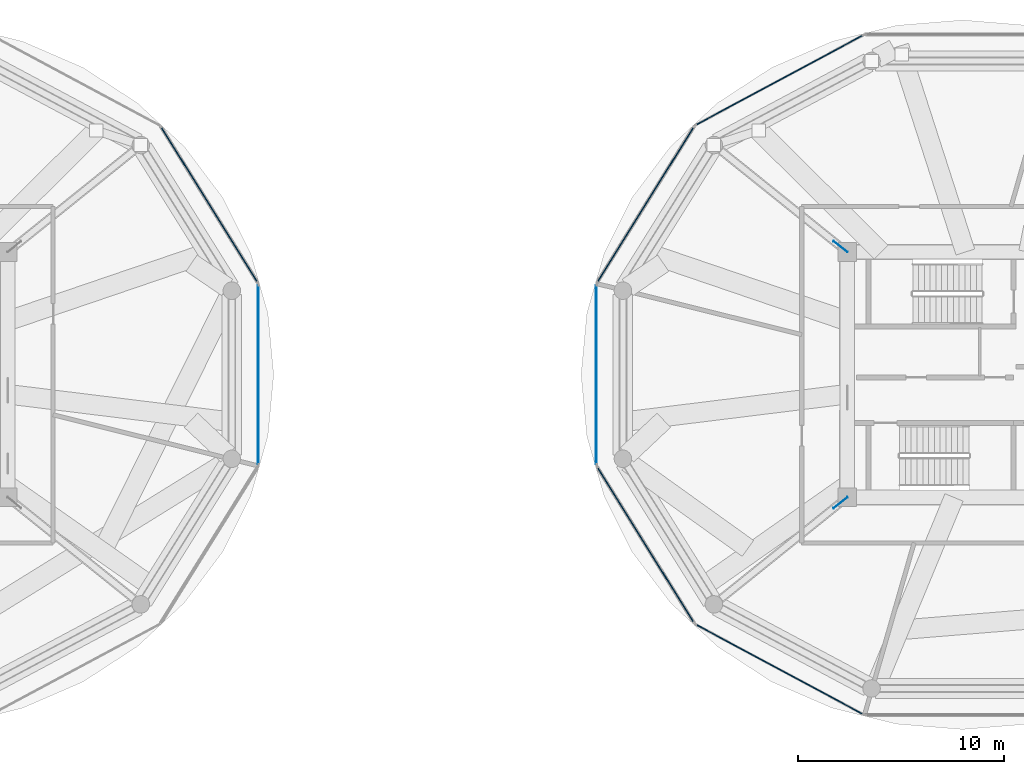
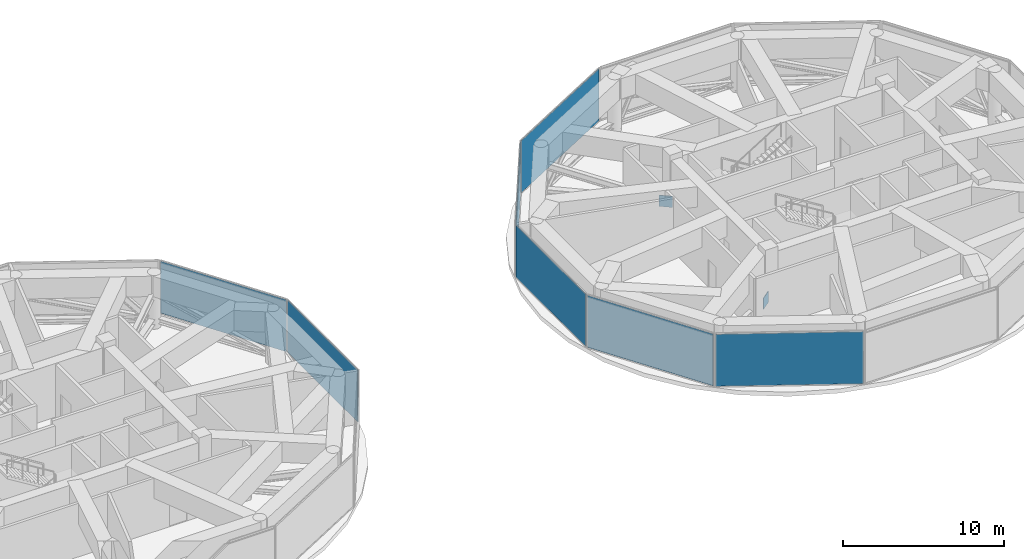
# One storey, part 13 of 23: 9 plates, 7 elements without a shape of their own.
"""IFC4 building model written with IfcOpenShell, lengths in metres."""

import ifcopenshell
import ifcopenshell.guid

model = None  # the IFC model being written
_history = None  # IfcOwnerHistory: only IFC2X3 demands one
_inside = {}  # id of a spatial element -> (the spatial element, [elements in it])
_under = {}  # id of a project, library or spatial element -> (it, [spatial elements below it])
_declared = {}  # id of a project -> (the project, [libraries it declares])
_typed = {}  # id of a type object -> (the type object, [elements of that type])
_made_of = {}  # id of a material, layer set ... -> (it, [elements and type objects made of it])


def new_model(schema):
    """Start an empty IFC model of exactly this schema.

    Asked for "IFC4X3", IfcOpenShell would pick the latest addendum, in which some entities
    have other attributes; the version numbers below select the first issue.
    IFC2X3 requires an IfcOwnerHistory on every rooted entity: one is made here for all.
    """
    global model, _history
    if schema == "IFC4X3":
        model = ifcopenshell.file(schema_version=(4, 3, 0, 0))
    else:
        model = ifcopenshell.file(schema=schema)
    _inside.clear()
    _under.clear()
    _declared.clear()
    _typed.clear()
    _made_of.clear()
    _history = None
    if model.schema == "IFC2X3":
        org = make("IfcOrganization", Name="unknown")
        user = make(
            "IfcPersonAndOrganization",
            ThePerson=make("IfcPerson", FamilyName="unknown"),
            TheOrganization=org,
        )
        app = make(
            "IfcApplication",
            ApplicationDeveloper=org,
            Version="unknown",
            ApplicationFullName="unknown",
            ApplicationIdentifier="unknown",
        )
        _history = make(
            "IfcOwnerHistory",
            OwningUser=user,
            OwningApplication=app,
            ChangeAction="ADDED",
            CreationDate=0,
        )
    return model


def make(cls, **values):
    """One entity of the class cls with the attributes given. An attribute that is None is left unset."""
    return model.create_entity(
        cls, **{name: value for name, value in values.items() if value is not None}
    )


def rooted(cls, **values):
    """An entity with a GlobalId (a new one), such as an element, a storey or a relation."""
    return make(cls, GlobalId=ifcopenshell.guid.new(), OwnerHistory=_history, **values)


def si_unit(unit_type, name, prefix=None):
    """IfcSIUnit, for example si_unit("LENGTHUNIT", "METRE", prefix="MILLI")."""
    return make("IfcSIUnit", UnitType=unit_type, Prefix=prefix, Name=name)


def assignment(units):
    """IfcUnitAssignment: the units of a project."""
    return None if units is None else make("IfcUnitAssignment", Units=units)


def point(xyz):
    """IfcCartesianPoint."""
    return None if xyz is None else make("IfcCartesianPoint", Coordinates=xyz)


def direction(xyz):
    """IfcDirection."""
    return None if xyz is None else make("IfcDirection", DirectionRatios=xyz)


def frame(location, z_axis=None, x_axis=None):
    """IfcAxis2Placement3D, a coordinate frame: its origin and axes. An axis left out is left unset."""
    return make(
        "IfcAxis2Placement3D",
        Location=point(location),
        Axis=direction(z_axis),
        RefDirection=direction(x_axis),
    )


def frame_2d(location, x_axis=None):
    """IfcAxis2Placement2D, a coordinate frame in the plane: its origin and x axis."""
    return make(
        "IfcAxis2Placement2D", Location=point(location), RefDirection=direction(x_axis)
    )


def origin():
    """The frame at (0, 0, 0) with its axes left unset."""
    return frame((0.0, 0.0, 0.0))


def origin_2d():
    """The frame at (0, 0) in the plane with its x axis left unset."""
    return frame_2d((0.0, 0.0))


def place(relative_to, where):
    """IfcLocalPlacement: puts the frame where relative to a parent placement (None: the world)."""
    return make(
        "IfcLocalPlacement", PlacementRelTo=relative_to, RelativePlacement=where
    )


def context(
    kind, dimensions, precision=None, world=None, true_north=None, identifier=None
):
    """IfcGeometricRepresentationContext, for example the 3D "Model" context."""
    return make(
        "IfcGeometricRepresentationContext",
        ContextIdentifier=identifier,
        ContextType=kind,
        CoordinateSpaceDimension=dimensions,
        Precision=precision,
        WorldCoordinateSystem=world,
        TrueNorth=true_north,
    )


def subcontext(parent, identifier, kind, view, scale=None):
    """IfcGeometricRepresentationSubContext, for example "Body" below "Model"."""
    return make(
        "IfcGeometricRepresentationSubContext",
        ContextIdentifier=identifier,
        ContextType=kind,
        ParentContext=parent,
        TargetScale=scale,
        TargetView=view,
    )


def project(units=None, contexts=None):
    """IfcProject with its units and contexts."""
    return rooted(
        "IfcProject",
        Name="project",
        RepresentationContexts=contexts,
        UnitsInContext=assignment(units),
    )


def spatial(cls, under=None, at=None, **own):
    """A site, building, storey or space (cls), placed at a placement, below another one or the project."""
    s = rooted(cls, ObjectPlacement=at, **own)
    if under is not None:
        _under.setdefault(under.id(), (under, []))[1].append(s)
    return s


def profile(cls, at=None, kind="AREA", **sizes):
    """A parametric profile (cls). Its sizes go by their IFC names, for example OverallWidth=200.0."""
    return make(cls, ProfileType=kind, Position=at, **sizes)


def rectangle(**sizes):
    """IfcRectangleProfileDef."""
    return profile("IfcRectangleProfileDef", **sizes)


def extrude(swept, where, along, depth):
    """IfcExtrudedAreaSolid: the profile swept, set in the frame where, extruded along a direction by depth."""
    return make(
        "IfcExtrudedAreaSolid",
        SweptArea=swept,
        Position=where,
        ExtrudedDirection=direction(along),
        Depth=depth,
    )


def shape(context_of_items, identifier, shape_type, items):
    """IfcShapeRepresentation: the items that make up one representation, for example the "Body"."""
    return make(
        "IfcShapeRepresentation",
        ContextOfItems=context_of_items,
        RepresentationIdentifier=identifier,
        RepresentationType=shape_type,
        Items=items,
    )


def source(mapping_origin, context_of_items, identifier, shape_type, items):
    """IfcRepresentationMap: a shape defined once, which mapped items show again and again."""
    return make(
        "IfcRepresentationMap",
        MappingOrigin=mapping_origin,
        MappedRepresentation=shape(context_of_items, identifier, shape_type, items),
    )


def transform(
    local_origin,
    x_axis=None,
    y_axis=None,
    z_axis=None,
    scale=None,
    scale2=None,
    scale3=None,
    uniform=True,
):
    """IfcCartesianTransformationOperator3D, or its non-uniform kind. x_axis, y_axis, z_axis: its Axis1, 2, 3."""
    if uniform:
        return make(
            "IfcCartesianTransformationOperator3D",
            Axis1=direction(x_axis),
            Axis2=direction(y_axis),
            LocalOrigin=point(local_origin),
            Scale=scale,
            Axis3=direction(z_axis),
        )
    return make(
        "IfcCartesianTransformationOperator3DnonUniform",
        Axis1=direction(x_axis),
        Axis2=direction(y_axis),
        LocalOrigin=point(local_origin),
        Scale=scale,
        Axis3=direction(z_axis),
        Scale2=scale2,
        Scale3=scale3,
    )


def mapped(mapping_source, mapping_target):
    """IfcMappedItem: shows the shape of a source again, moved by a transform."""
    return make(
        "IfcMappedItem", MappingSource=mapping_source, MappingTarget=mapping_target
    )


def material(Name=None, Category=None):
    """IfcMaterial."""
    return make("IfcMaterial", Name=Name, Category=Category)


def layer(
    of_material, thickness, ventilated=None, Name=None, Category=None, Priority=None
):
    """IfcMaterialLayer: one layer of a wall or slab, of a material (None: an air gap)."""
    return make(
        "IfcMaterialLayer",
        Material=of_material,
        LayerThickness=thickness,
        IsVentilated=ventilated,
        Name=Name,
        Category=Category,
        Priority=Priority,
    )


def layer_set(layers, Name=None):
    """IfcMaterialLayerSet."""
    return make("IfcMaterialLayerSet", MaterialLayers=layers, LayerSetName=Name)


def made_of(thing, what):
    """Note that an element or type object is made of a material, layer set ...; save() writes the relation."""
    if what is not None:
        _made_of.setdefault(what.id(), (what, []))[1].append(thing)
    return thing


def type_object(cls, material=None, **own):
    """A type object (cls), such as IfcWallType, which elements share."""
    return made_of(rooted(cls, **own), material)


def type_shapes(of_type, sources):
    """Give a type object the sources (RepresentationMaps) that its elements show as mapped items."""
    of_type.RepresentationMaps = sources


def element(
    cls,
    number,
    at=None,
    inside=None,
    cuts=None,
    type_object=None,
    material=None,
    context=None,
    identifier="Body",
    shape_type=None,
    held_by="IfcProductDefinitionShape",
    body=None,
    shapes=None,
    **own,
):
    """One element of the class cls, such as IfcWall. Its Tag is "e" and its number.

    at: its placement. inside: the storey or other place that contains it. cuts: it is an
    opening in that element (IfcRelVoidsElement). A single representation is given by context,
    identifier, shape_type and body (its items); several are given by shapes. held_by: the class
    of the entity that holds the representations. save() writes the other relations.
    """
    e = rooted(cls, Tag="e%d" % number, ObjectPlacement=at, **own)
    if body is not None:
        shapes = [shape(context, identifier, shape_type, body)]
    if shapes is not None:
        e.Representation = make(held_by, Representations=shapes)
    if inside is not None:
        _inside.setdefault(inside.id(), (inside, []))[1].append(e)
    if cuts is not None:
        rooted(
            "IfcRelVoidsElement", RelatingBuildingElement=cuts, RelatedOpeningElement=e
        )
    if type_object is not None:
        _typed.setdefault(type_object.id(), (type_object, []))[1].append(e)
    return made_of(e, material)


def aggregate(whole, parts):
    """IfcRelAggregates: a whole, such as a stair, and the parts it consists of."""
    return rooted("IfcRelAggregates", RelatingObject=whole, RelatedObjects=parts)


def save(model, path):
    """Write the relations noted so far, then the file.

    IfcRelAggregates (storeys below a building ...), IfcRelContainedInSpatialStructure (elements
    in a storey), IfcRelDefinesByType, IfcRelAssociatesMaterial and IfcRelDeclares: one each for
    every whole, place, type object, material and project.
    """
    for whole, parts in _under.values():
        aggregate(whole, parts)
    for where, things in _inside.values():
        rooted(
            "IfcRelContainedInSpatialStructure",
            RelatedElements=things,
            RelatingStructure=where,
        )
    for kind, things in _typed.values():
        rooted("IfcRelDefinesByType", RelatedObjects=things, RelatingType=kind)
    for what, things in _made_of.values():
        rooted("IfcRelAssociatesMaterial", RelatedObjects=things, RelatingMaterial=what)
    for by, libraries in _declared.values():
        rooted("IfcRelDeclares", RelatingContext=by, RelatedDefinitions=libraries)
    model.write(path)


model = new_model("IFC4")

# Units and contexts
model_context = context("Model", 3, precision=1e-05, world=origin(), true_north=direction((0.0, 1.0)))
body_context = subcontext(model_context, "Body", "Model", "MODEL_VIEW")
ifc_project = project(units=[si_unit("LENGTHUNIT", "METRE"), si_unit("AREAUNIT", "SQUARE_METRE"), si_unit("VOLUMEUNIT", "CUBIC_METRE"), si_unit("PLANEANGLEUNIT", "RADIAN"), si_unit("MASSUNIT", "GRAM", prefix="KILO")], contexts=[model_context])

# Site, building, storey
site_placement = place(None, origin())
site = spatial("IfcSite", under=ifc_project, at=site_placement, CompositionType="ELEMENT")
building_placement = place(site_placement, origin())
building = spatial("IfcBuilding", under=site, at=building_placement, Name="Norrkilde Senior Care Towers", CompositionType="ELEMENT")
storey_placement = place(building_placement, frame((0.0, 0.0, 129.800048828125)))
storey = spatial("IfcBuildingStorey", under=building, at=storey_placement, Name="L40", CompositionType="ELEMENT", Elevation=129.800048828125)

# Plates
ifc_material_1 = material(Name="Steel S355", Category="steel")
ifc_layer_1 = layer(ifc_material_1, 0.034912109375)
ifc_layer_set_1 = layer_set([ifc_layer_1], Name="Steel S355")
plate_type_1 = type_object("IfcPlateType", Name="Truss Node Gusset Plate 35", PredefinedType="USERDEFINED", material=ifc_layer_set_1)
shared_shape_1 = source(origin(), body_context, "Body", "SweptSolid", [
    extrude(rectangle(XDim=0.85009765625, YDim=0.034912109375, at=origin_2d()), origin(), (0.0, 0.0, 1.0), 0.85009765625),
])
type_shapes(plate_type_1, [shared_shape_1])
for number, where, z_axis, x_axis, name in (
    (1, (20.0302734375, -6.206787109375, 0.125), (0.0, 0.0, 1.0), (-0.779571602072, -0.626313114379, 0.0), "L40 Outrigger Node Assembly ND-1 Gusset Plate"),
    (2, (20.0302734375, 6.206787109375, 0.125), (0.0, 0.0, 1.0), (-0.779571602072, 0.626313114379, 0.0), "L40 Outrigger Node Assembly ND-4 Gusset Plate"),
):
    element("IfcPlate", number, at=place(storey_placement, frame(where, z_axis=z_axis, x_axis=x_axis)), inside=storey, type_object=plate_type_1, Name=name, ObjectType="GUSSET_PLATE", PredefinedType="USERDEFINED", context=body_context, shape_type="MappedRepresentation", body=[
        mapped(shared_shape_1, transform((0.0, 0.0, 0.0), x_axis=(1.0, 0.0, 0.0), y_axis=(0.0, 1.0, 0.0), z_axis=(0.0, 0.0, 1.0), scale=1.0)),
    ])

# Curtain wall, plate
ifc_material_2 = material(Name="Triple Low-E Insulated Glazing", Category="glass")
ifc_layer_2 = layer(ifc_material_2, 0.18505859375)
ifc_layer_set_2 = layer_set([ifc_layer_2], Name="Triple Low-E Insulated Glazing")
curtain_wall_type = type_object("IfcCurtainWallType", Name="CW6 Zone 4 Crown Pavilion Curtain Wall", PredefinedType="NOTDEFINED", material=ifc_layer_set_2)
curtain_wall_1_placement = place(storey_placement, origin())
curtain_wall_1 = element("IfcCurtainWall", 3, at=curtain_wall_1_placement, inside=storey, type_object=curtain_wall_type, Name="L40 Drum W Curtain Wall 00", PredefinedType="NOTDEFINED")
ifc_material_3 = material(Name="Architectural Terracotta", Category="masonry")
ifc_layer_3 = layer(ifc_material_3, 0.048095703125)
ifc_layer_set_3 = layer_set([ifc_layer_3], Name="Architectural Terracotta")
plate_type_2 = type_object("IfcPlateType", Name="Insulated Terracotta Spandrel Panel 48", PredefinedType="CURTAIN_PANEL", material=ifc_layer_set_3)
shared_shape_2 = source(origin(), body_context, "Body", "SweptSolid", [
    extrude(rectangle(XDim=8.874267578125, YDim=0.048095703125, at=origin_2d()), origin(), (0.0, 0.0, 1.0), 3.949951171875),
])
plate_1_placement = place(storey_placement, frame((-10.574951171875, 8.2490234375, 0.06494140625), z_axis=(0.0, 0.0, 1.0), x_axis=(0.527733228002, -0.849410171862, 0.0)))
plate_1 = element("IfcPlate", 4, at=plate_1_placement, type_object=plate_type_2, Name="CW-6 panel 1.1", PredefinedType="CURTAIN_PANEL", context=body_context, shape_type="MappedRepresentation", body=[
    mapped(shared_shape_2, transform((0.0, 0.0, 0.0), x_axis=(1.0, 0.0, 0.0), y_axis=(0.0, 1.0, 0.0), z_axis=(0.0, 0.0, 1.0), scale=1.0)),
])
aggregate(curtain_wall_1, [plate_1])

curtain_wall_2_placement = place(storey_placement, origin())
curtain_wall_2 = element("IfcCurtainWall", 5, at=curtain_wall_2_placement, inside=storey, type_object=curtain_wall_type, Name="L40 Drum E Curtain Wall 04", PredefinedType="NOTDEFINED")
plate_2_placement = place(storey_placement, frame((10.574951171875, 8.2490234375, 0.06494140625), z_axis=(0.0, 0.0, 1.0), x_axis=(0.527733228002, 0.849410171862, 0.0)))
plate_2 = element("IfcPlate", 6, at=plate_2_placement, type_object=plate_type_2, Name="CW-6 panel 1.1", PredefinedType="CURTAIN_PANEL", context=body_context, shape_type="MappedRepresentation", body=[
    mapped(shared_shape_2, transform((0.0, 0.0, 0.0), x_axis=(1.0, 0.0, 0.0), y_axis=(0.0, 1.0, 0.0), z_axis=(0.0, 0.0, 1.0), scale=1.0)),
])
aggregate(curtain_wall_2, [plate_2])

curtain_wall_3_placement = place(storey_placement, origin())
curtain_wall_3 = element("IfcCurtainWall", 7, at=curtain_wall_3_placement, inside=storey, type_object=curtain_wall_type, Name="L40 Drum E Curtain Wall 06", PredefinedType="NOTDEFINED")
plate_3_placement = place(storey_placement, frame((10.574951171875, -8.2490234375, 0.06494140625), z_axis=(0.0, 0.0, 1.0), x_axis=(-0.527733228002, 0.849410171862, 0.0)))
plate_3 = element("IfcPlate", 8, at=plate_3_placement, type_object=plate_type_2, Name="CW-6 panel 1.1", PredefinedType="CURTAIN_PANEL", context=body_context, shape_type="MappedRepresentation", body=[
    mapped(shared_shape_2, transform((0.0, 0.0, 0.0), x_axis=(1.0, 0.0, 0.0), y_axis=(0.0, 1.0, 0.0), z_axis=(0.0, 0.0, 1.0), scale=1.0)),
])
aggregate(curtain_wall_3, [plate_3])

curtain_wall_4_placement = place(storey_placement, origin())
curtain_wall_4 = element("IfcCurtainWall", 9, at=curtain_wall_4_placement, inside=storey, type_object=curtain_wall_type, Name="L40 Drum E Curtain Wall 03", PredefinedType="NOTDEFINED")
shared_shape_3 = source(origin(), body_context, "Body", "SweptSolid", [
    extrude(rectangle(XDim=9.21044921875, YDim=0.048095703125, at=origin_2d()), origin(), (0.0, 0.0, 1.0), 3.949951171875),
])
plate_4_placement = place(storey_placement, frame((17.0732421875, 14.28759765625, 0.06494140625), z_axis=(0.0, 0.0, 1.0), x_axis=(0.881186184668, 0.472769402511, 0.0)))
plate_4 = element("IfcPlate", 10, at=plate_4_placement, type_object=plate_type_2, Name="CW-6 panel 1.1", PredefinedType="CURTAIN_PANEL", context=body_context, shape_type="MappedRepresentation", body=[
    mapped(shared_shape_3, transform((0.0, 0.0, 0.0), x_axis=(1.0, 0.0, 0.0), y_axis=(0.0, 1.0, 0.0), z_axis=(0.0, 0.0, 1.0), scale=1.0)),
])
aggregate(curtain_wall_4, [plate_4])

curtain_wall_5_placement = place(storey_placement, origin())
curtain_wall_5 = element("IfcCurtainWall", 11, at=curtain_wall_5_placement, inside=storey, type_object=curtain_wall_type, Name="L40 Drum E Curtain Wall 07", PredefinedType="NOTDEFINED")
plate_5_placement = place(storey_placement, frame((17.0732421875, -14.28759765625, 0.06494140625), z_axis=(0.0, 0.0, 1.0), x_axis=(-0.881186184668, 0.472769402511, 0.0)))
plate_5 = element("IfcPlate", 12, at=plate_5_placement, type_object=plate_type_2, Name="CW-6 panel 1.1", PredefinedType="CURTAIN_PANEL", context=body_context, shape_type="MappedRepresentation", body=[
    mapped(shared_shape_3, transform((0.0, 0.0, 0.0), x_axis=(1.0, 0.0, 0.0), y_axis=(0.0, 1.0, 0.0), z_axis=(0.0, 0.0, 1.0), scale=1.0)),
])
aggregate(curtain_wall_5, [plate_5])

curtain_wall_6_placement = place(storey_placement, origin())
curtain_wall_6 = element("IfcCurtainWall", 13, at=curtain_wall_6_placement, inside=storey, type_object=curtain_wall_type, Name="L40 Drum W Curtain Wall 11", PredefinedType="NOTDEFINED")
shared_shape_4 = source(origin(), body_context, "Body", "SweptSolid", [
    extrude(rectangle(XDim=8.701171875, YDim=0.048095703125, at=origin_2d()), origin(), (0.0, 0.0, 1.0), 3.949951171875),
])
type_shapes(plate_type_2, [shared_shape_2, shared_shape_3, shared_shape_4])
plate_6_placement = place(storey_placement, frame((-8.1962890625, 0.0, 0.06494140625), z_axis=(0.0, 0.0, 1.0), x_axis=(0.0, -1.0, 0.0)))
plate_6 = element("IfcPlate", 14, at=plate_6_placement, type_object=plate_type_2, Name="CW-6 panel 1.1", PredefinedType="CURTAIN_PANEL", context=body_context, shape_type="MappedRepresentation", body=[
    mapped(shared_shape_4, transform((0.0, 0.0, 0.0), x_axis=(1.0, 0.0, 0.0), y_axis=(0.0, 1.0, 0.0), z_axis=(0.0, 0.0, 1.0), scale=1.0)),
])
aggregate(curtain_wall_6, [plate_6])

curtain_wall_7_placement = place(storey_placement, origin())
curtain_wall_7 = element("IfcCurtainWall", 15, at=curtain_wall_7_placement, inside=storey, type_object=curtain_wall_type, Name="L40 Drum E Curtain Wall 05", PredefinedType="NOTDEFINED")
plate_7_placement = place(storey_placement, frame((8.1962890625, 0.0, 0.06494140625), z_axis=(0.0, 0.0, 1.0), x_axis=(0.0, 1.0, 0.0)))
plate_7 = element("IfcPlate", 16, at=plate_7_placement, type_object=plate_type_2, Name="CW-6 panel 1.1", PredefinedType="CURTAIN_PANEL", context=body_context, shape_type="MappedRepresentation", body=[
    mapped(shared_shape_4, transform((0.0, 0.0, 0.0), x_axis=(1.0, 0.0, 0.0), y_axis=(0.0, 1.0, 0.0), z_axis=(0.0, 0.0, 1.0), scale=1.0)),
])
aggregate(curtain_wall_7, [plate_7])

save(model, "model.ifc")
